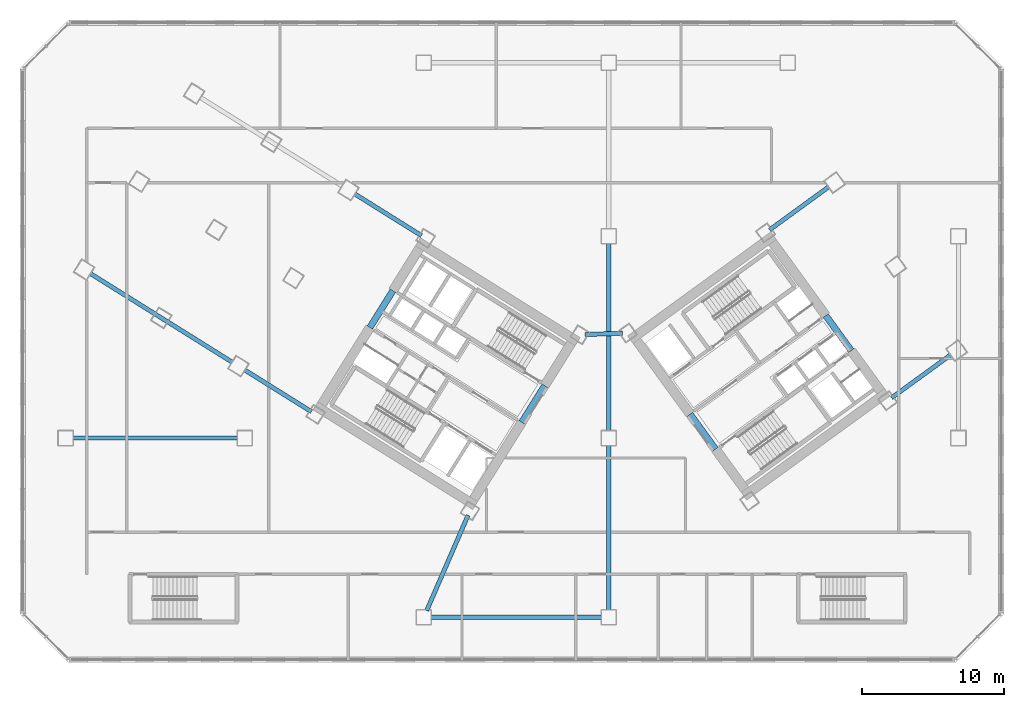
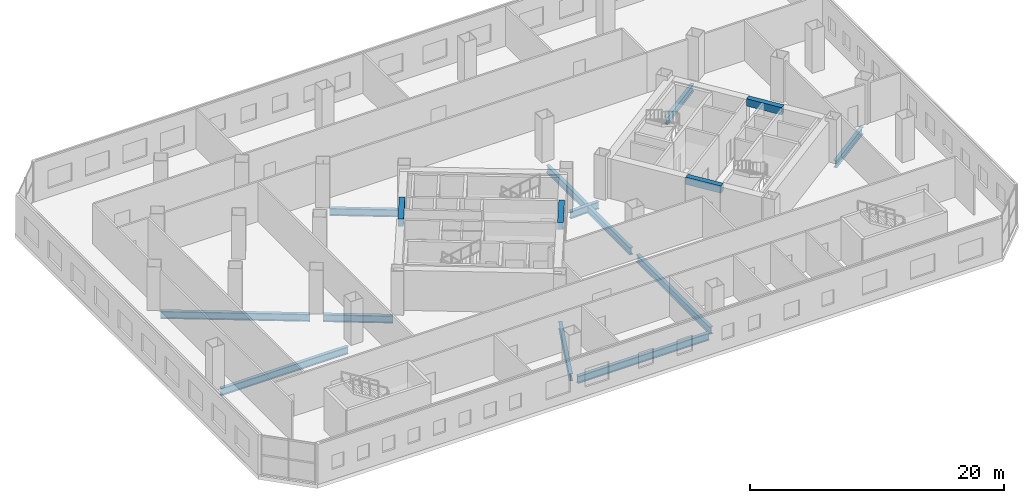
# One storey, part 3 of 22: 15 beams.
"""IFC4 building model written with IfcOpenShell, lengths in metres."""

from ifc_helpers import new_model, si_unit, direction, frame, origin, origin_2d, place, context, subcontext, project, spatial, rectangle, i_section, extrude, source, transform, mapped, material, material_profile, profile_set, type_object, element, save


model = new_model("IFC4")

# Units and contexts
model_context = context("Model", 3, precision=1e-05, world=origin(), true_north=direction((0.0, 1.0)))
body_context = subcontext(model_context, "Body", "Model", "MODEL_VIEW")
ifc_project = project(units=[si_unit("LENGTHUNIT", "METRE"), si_unit("AREAUNIT", "SQUARE_METRE"), si_unit("VOLUMEUNIT", "CUBIC_METRE"), si_unit("PLANEANGLEUNIT", "RADIAN"), si_unit("MASSUNIT", "GRAM", prefix="KILO")], contexts=[model_context])

# Site, building, storey
site_placement = place(None, origin())
site = spatial("IfcSite", under=ifc_project, at=site_placement, CompositionType="ELEMENT")
building_placement = place(site_placement, origin())
building = spatial("IfcBuilding", under=site, at=building_placement, Name="Tlacorven Tower", CompositionType="ELEMENT")
storey_placement = place(building_placement, frame((0.0, 0.0, 14.39990234375)))
storey = spatial("IfcBuildingStorey", under=building, at=storey_placement, Name="L03", CompositionType="ELEMENT", Elevation=14.39990234375)

# Beams
ifc_material_1 = material(Name="Concrete C60/75", Category="concrete")
ifc_material_profile_1 = material_profile(ifc_material_1, rectangle(XDim=0.449951171875, YDim=0.699951171875, at=origin_2d()), Name="RC 450X700")
ifc_profile_set_1 = profile_set([ifc_material_profile_1], Name="Concrete C60/75")
beam_type_1 = type_object("IfcBeamType", Name="BM-LNT-700", PredefinedType="LINTEL", material=ifc_profile_set_1)
shared_shape_1 = source(origin(), body_context, "Body", "SweptSolid", [
    extrude(rectangle(XDim=0.449951171875, YDim=0.699951171875, at=origin_2d()), origin(), (0.0, 0.0, 1.0), 3.050048828125),
])
for number, where, z_axis, x_axis, name in (
    (1, (38.2998046875, 20.890625, 3.5), (-0.529984549635, -0.848007297815, 0.0), (0.848007297815, -0.529984549635, 0.0), "L03 W core coupling lintel beam E1"),
    (2, (50.318359375, 16.416015625, 3.5), (-0.587776590479, 0.80902328748, 0.0), (-0.80902328748, -0.587776590479, 0.0), "L03 E core coupling lintel beam E1"),
    (3, (59.856689453125, 23.345947265625, 3.5), (-0.587776590479, 0.80902328748, 0.0), (-0.80902328748, -0.587776590479, 0.0), "L03 E core coupling lintel beam E2"),
):
    element("IfcBeam", number, at=place(storey_placement, frame(where, z_axis=z_axis, x_axis=x_axis)), inside=storey, type_object=beam_type_1, Name=name, PredefinedType="LINTEL", context=body_context, shape_type="MappedRepresentation", body=[
        mapped(shared_shape_1, transform((0.0, 0.0, 0.0), scale=1.0)),
    ])
shared_shape_2 = source(origin(), body_context, "Body", "SweptSolid", [
    extrude(rectangle(XDim=0.449951171875, YDim=0.699951171875, at=origin_2d()), origin(), (0.0, 0.0, 1.0), 3.0498046875),
])
beam_1_placement = place(storey_placement, frame((27.622802734375, 27.562255859375, 3.5), z_axis=(-0.529926983584, -0.848043272522, 0.0), x_axis=(0.848043272522, -0.529926983584, 0.0)))
element("IfcBeam", 4, at=beam_1_placement, inside=storey, type_object=beam_type_1, Name="L03 W core coupling lintel beam E2", PredefinedType="LINTEL", context=body_context, shape_type="MappedRepresentation", body=[
    mapped(shared_shape_2, transform((0.0, 0.0, 0.0), scale=1.0)),
])
ifc_material_2 = material(Name="Steel S355J2", Category="steel")
ifc_material_profile_2 = material_profile(ifc_material_2, i_section(OverallWidth=0.300048828125, OverallDepth=0.699951171875, WebThickness=0.01708984375, FlangeThickness=0.031982421875, at=origin_2d()), Name="HEB 700")
ifc_profile_set_2 = profile_set([ifc_material_profile_2], Name="Steel S355J2")
beam_type_2 = type_object("IfcBeamType", Name="BM-POD-700", PredefinedType="BEAM", material=ifc_profile_set_2)
shared_shape_3 = source(origin(), body_context, "Body", "SweptSolid", [
    extrude(i_section(OverallWidth=0.300048828125, OverallDepth=0.699951171875, WebThickness=0.01708984375, FlangeThickness=0.031982421875, at=origin_2d()), origin(), (0.0, 0.0, 1.0), 11.97998046875),
])
beam_2_placement = place(storey_placement, frame((30.31005859375, 4.60009765625, -0.699951171875), z_axis=(1.0, 0.0, 0.0), x_axis=(0.0, 1.0, 0.0)))
element("IfcBeam", 5, at=beam_2_placement, inside=storey, type_object=beam_type_2, Name="L03 beam BM-L03-GX1-1", PredefinedType="BEAM", context=body_context, shape_type="MappedRepresentation", body=[
    mapped(shared_shape_3, transform((0.0, 0.0, 0.0), scale=1.0)),
])
shared_shape_4 = source(origin(), body_context, "Body", "SweptSolid", [
    extrude(i_section(OverallWidth=0.300048828125, OverallDepth=0.699951171875, WebThickness=0.01708984375, FlangeThickness=0.031982421875, at=origin_2d()), origin(), (0.0, 0.0, 1.0), 11.579833984375),
])
for number, where, z_axis, x_axis, name in (
    (6, (5.110107421875, 17.199951171875, -0.699951171875), (1.0, 0.0, 0.0), (0.0, 1.0, 0.0), "L03 beam BM-L03-GX2-1"),
    (7, (42.800048828125, 5.110107421875, -0.699951171875), (0.0, 1.0, 0.0), (-1.0, 0.0, 0.0), "L03 beam BM-L03-GY4-1"),
):
    element("IfcBeam", number, at=place(storey_placement, frame(where, z_axis=z_axis, x_axis=x_axis)), inside=storey, type_object=beam_type_2, Name=name, PredefinedType="BEAM", context=body_context, shape_type="MappedRepresentation", body=[
        mapped(shared_shape_4, transform((0.0, 0.0, 0.0), scale=1.0)),
    ])
shared_shape_5 = source(origin(), body_context, "Body", "SweptSolid", [
    extrude(i_section(OverallWidth=0.300048828125, OverallDepth=0.699951171875, WebThickness=0.01708984375, FlangeThickness=0.031982421875, at=origin_2d()), origin(), (0.0, 0.0, 1.0), 13.179931640625),
])
beam_3_placement = place(storey_placement, frame((42.800048828125, 17.7099609375, -0.699951171875), z_axis=(0.0, 1.0, 0.0), x_axis=(-1.0, 0.0, 0.0)))
element("IfcBeam", 8, at=beam_3_placement, inside=storey, type_object=beam_type_2, Name="L03 beam BM-L03-GY4-2", PredefinedType="BEAM", context=body_context, shape_type="MappedRepresentation", body=[
    mapped(shared_shape_5, transform((0.0, 0.0, 0.0), scale=1.0)),
])
shared_shape_6 = source(origin(), body_context, "Body", "SweptSolid", [
    extrude(i_section(OverallWidth=0.300048828125, OverallDepth=0.699951171875, WebThickness=0.01708984375, FlangeThickness=0.031982421875, at=origin_2d()), origin(), (0.0, 0.0, 1.0), 5.5400390625),
])
for number, where, z_axis, x_axis, name in (
    (9, (29.631103515625, 31.436767578125, -0.699951171875), (-0.848047815099, 0.529919714018, 0.0), (-0.529919714018, -0.848047815099, 0.0), "L03 beam BM-L03-WTG2-1"),
    (10, (21.894287109375, 19.055419921875, -0.699951171875), (-0.848067619083, 0.529888019739, 0.0), (-0.529888019739, -0.848067619083, 0.0), "L03 beam BM-L03-WTG2-2"),
):
    element("IfcBeam", number, at=place(storey_placement, frame(where, z_axis=z_axis, x_axis=x_axis)), inside=storey, type_object=beam_type_2, Name=name, PredefinedType="BEAM", context=body_context, shape_type="MappedRepresentation", body=[
        mapped(shared_shape_6, transform((0.0, 0.0, 0.0), scale=1.0)),
    ])
shared_shape_7 = source(origin(), body_context, "Body", "SweptSolid", [
    extrude(i_section(OverallWidth=0.300048828125, OverallDepth=0.699951171875, WebThickness=0.01708984375, FlangeThickness=0.031982421875, at=origin_2d()), origin(), (0.0, 0.0, 1.0), 11.780029296875),
])
beam_4_placement = place(storey_placement, frame((16.3310546875, 22.531494140625, -0.699951171875), z_axis=(-0.848048366356, 0.529918831823, 0.0), x_axis=(-0.529918831823, -0.848048366356, 0.0)))
element("IfcBeam", 11, at=beam_4_placement, inside=storey, type_object=beam_type_2, Name="L03 beam BM-L03-WTG3-2", PredefinedType="BEAM", context=body_context, shape_type="MappedRepresentation", body=[
    mapped(shared_shape_7, transform((0.0, 0.0, 0.0), scale=1.0)),
])
shared_shape_8 = source(origin(), body_context, "Body", "SweptSolid", [
    extrude(i_section(OverallWidth=0.300048828125, OverallDepth=0.699951171875, WebThickness=0.01708984375, FlangeThickness=0.031982421875, at=origin_2d()), origin(), (0.0, 0.0, 1.0), 5.14013671875),
])
for number, where, z_axis, x_axis, name in (
    (12, (62.69677734375, 20.032470703125, -0.699951171875), (0.809021486305, 0.587779069631, 0.0), (-0.587779069631, 0.809021486305, 0.0), "L03 beam BM-L03-ETG2-1"),
    (13, (54.114990234375, 31.84423828125, -0.699951171875), (0.809021486305, 0.587779069631, 0.0), (-0.587779069631, 0.809021486305, 0.0), "L03 beam BM-L03-ETG2-2"),
):
    element("IfcBeam", number, at=place(storey_placement, frame(where, z_axis=z_axis, x_axis=x_axis)), inside=storey, type_object=beam_type_2, Name=name, PredefinedType="BEAM", context=body_context, shape_type="MappedRepresentation", body=[
        mapped(shared_shape_8, transform((0.0, 0.0, 0.0), scale=1.0)),
    ])
shared_shape_9 = source(origin(), body_context, "Body", "SweptSolid", [
    extrude(i_section(OverallWidth=0.300048828125, OverallDepth=0.699951171875, WebThickness=0.01708984375, FlangeThickness=0.031982421875, at=origin_2d()), origin(), (0.0, 0.0, 1.0), 2.642822265625),
])
beam_5_placement = place(storey_placement, frame((41.1328125, 24.480712890625, -0.699951171875), z_axis=(0.999393314814, 0.034828182629, 0.0), x_axis=(-0.034828182629, 0.999393314814, 0.0)))
element("IfcBeam", 14, at=beam_5_placement, inside=storey, type_object=beam_type_2, Name="L03 beam BM-L03-PKNK1", PredefinedType="BEAM", context=body_context, shape_type="MappedRepresentation", body=[
    mapped(shared_shape_9, transform((0.0, 0.0, 0.0), scale=1.0)),
])
shared_shape_10 = source(origin(), body_context, "Body", "SweptSolid", [
    extrude(i_section(OverallWidth=0.300048828125, OverallDepth=0.699951171875, WebThickness=0.01708984375, FlangeThickness=0.031982421875, at=origin_2d()), origin(), (0.0, 0.0, 1.0), 7.300537109375),
])
beam_6_placement = place(storey_placement, frame((32.906982421875, 11.765869140625, -0.699951171875), z_axis=(-0.397790436874, -0.917476303962, 0.0), x_axis=(0.917476303962, -0.397790436874, 0.0)))
element("IfcBeam", 15, at=beam_6_placement, inside=storey, type_object=beam_type_2, Name="L03 beam BM-L03-PKNK2", PredefinedType="BEAM", context=body_context, shape_type="MappedRepresentation", body=[
    mapped(shared_shape_10, transform((0.0, 0.0, 0.0), scale=1.0)),
])

save(model, "model.ifc")
